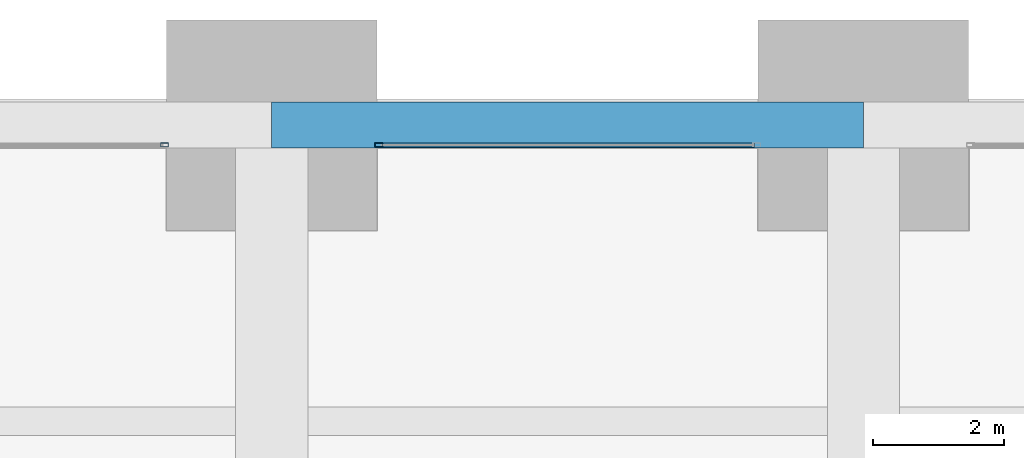
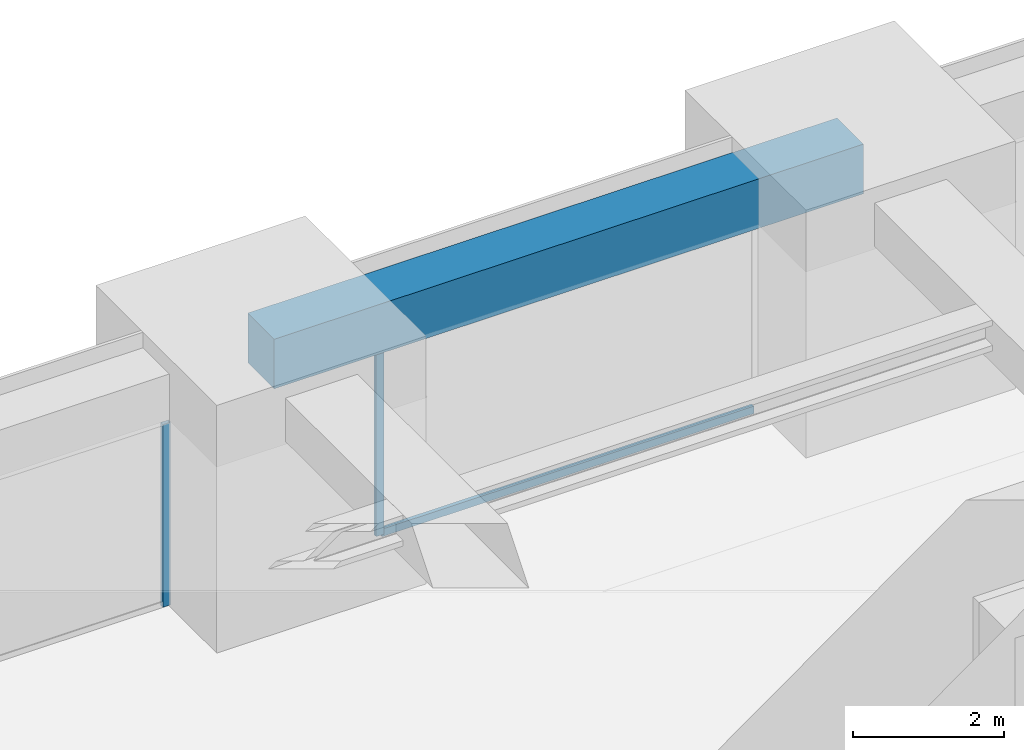
# One storey, part 32 of 43: 3 members, 1 beam, 2 elements without a shape of their own.
"""IFC4 building model written with IfcOpenShell, lengths in metres."""

from ifc_helpers import new_model, si_unit, direction, frame, origin, origin_2d, place, context, subcontext, project, spatial, rectangle, hollow_rectangle, extrude, material, material_profile, profile_set, type_object, element, aggregate, save


model = new_model("IFC4")

# Units and contexts
model_context = context("Model", 3, precision=1e-05, world=origin(), true_north=direction((0.0, 1.0)))
body_context = subcontext(model_context, "Body", "Model", "MODEL_VIEW")
ifc_project = project(units=[si_unit("LENGTHUNIT", "METRE"), si_unit("AREAUNIT", "SQUARE_METRE"), si_unit("VOLUMEUNIT", "CUBIC_METRE"), si_unit("PLANEANGLEUNIT", "RADIAN"), si_unit("MASSUNIT", "GRAM", prefix="KILO")], contexts=[model_context])

# Site, building, storey
site_placement = place(None, origin())
site = spatial("IfcSite", under=ifc_project, at=site_placement, CompositionType="ELEMENT")
building_placement = place(site_placement, origin())
building = spatial("IfcBuilding", under=site, at=building_placement, Name="Zorevar Civic Tower", CompositionType="ELEMENT")
storey_placement = place(building_placement, frame((0.0, 0.0, 243.39990234375)))
storey = spatial("IfcBuildingStorey", under=building, at=storey_placement, Name="L59", CompositionType="ELEMENT", Elevation=243.39990234375)

# Curtain wall, member
ifc_material_1 = material(Name="Dark grey solar-control glass in black aluminium frame", Category="aluminium")
curtain_wall_type = type_object("IfcCurtainWallType", Name="Curtain wall CW5 top zone", PredefinedType="NOTDEFINED", material=ifc_material_1)
curtain_wall_1_placement = place(storey_placement, origin())
curtain_wall_1 = element("IfcCurtainWall", 1, at=curtain_wall_1_placement, inside=storey, type_object=curtain_wall_type, Name="CW5 L59", PredefinedType="NOTDEFINED")
ifc_material_2 = material(Name="Aluminium, black anodised", Category="aluminium")
ifc_material_profile_1 = material_profile(ifc_material_2, hollow_rectangle(XDim=0.06005859375, YDim=0.1201171875, WallThickness=0.0029296875, at=origin_2d()), Name="AL 120x60x3")
ifc_profile_set_1 = profile_set([ifc_material_profile_1], Name="Aluminium, black anodised")
member_type_1 = type_object("IfcMemberType", Name="CW5 mullion AL 120x60x3", PredefinedType="MULLION", material=ifc_profile_set_1)
member_1_placement = place(storey_placement, frame((25.3701171875, 44.699951171875, 0.0), z_axis=(0.0, 0.0, 1.0), x_axis=(0.0, 1.0, 0.0)))
member_1 = element("IfcMember", 2, at=member_1_placement, type_object=member_type_1, Name="CW5 mullion 2", PredefinedType="MULLION", context=body_context, shape_type="SweptSolid", body=[
    extrude(hollow_rectangle(XDim=0.06005859375, YDim=0.1201171875, WallThickness=0.0029296875, at=origin_2d()), origin(), (0.0, 0.0, 1.0), 2.9501953125),
])
aggregate(curtain_wall_1, [member_1])

# Curtain wall, members
curtain_wall_2_placement = place(storey_placement, origin())
curtain_wall_2 = element("IfcCurtainWall", 3, at=curtain_wall_2_placement, inside=storey, type_object=curtain_wall_type, Name="CW5 L59", PredefinedType="NOTDEFINED")
member_2_placement = place(storey_placement, frame((28.6298828125, 44.699951171875, 0.0), z_axis=(0.0, 0.0, 1.0), x_axis=(0.0, 1.0, 0.0)))
member_2 = element("IfcMember", 4, at=member_2_placement, type_object=member_type_1, Name="CW5 mullion 1", PredefinedType="MULLION", context=body_context, shape_type="SweptSolid", body=[
    extrude(hollow_rectangle(XDim=0.06005859375, YDim=0.1201171875, WallThickness=0.0029296875, at=origin_2d()), origin(), (0.0, 0.0, 1.0), 2.9501953125),
])
ifc_material_3 = material(Name="Aluminium, black anodised", Category="aluminium")
ifc_material_profile_2 = material_profile(ifc_material_3, hollow_rectangle(XDim=0.06005859375, YDim=0.1201171875, WallThickness=0.0029296875, at=origin_2d()), Name="AL 120x60x3")
ifc_profile_set_2 = profile_set([ifc_material_profile_2], Name="Aluminium, black anodised")
member_type_2 = type_object("IfcMemberType", Name="CW5 transom AL 120x60x3", PredefinedType="USERDEFINED", material=ifc_profile_set_2)
member_3_placement = place(storey_placement, frame((28.659912109375, 44.699951171875, 0.030029296875), z_axis=(1.0, 0.0, 0.0), x_axis=(0.0, 1.0, 0.0)))
member_3 = element("IfcMember", 5, at=member_3_placement, type_object=member_type_2, Name="CW5 sill transom", ObjectType="TRANSOM", PredefinedType="USERDEFINED", context=body_context, shape_type="SweptSolid", body=[
    extrude(hollow_rectangle(XDim=0.06005859375, YDim=0.1201171875, WallThickness=0.0029296875, at=origin_2d()), origin(), (0.0, 0.0, 1.0), 5.68017578125),
])
aggregate(curtain_wall_2, [member_2, member_3])

# Beam
ifc_material_4 = material(Name="Concrete C50/60", Category="concrete")
ifc_material_profile_3 = material_profile(ifc_material_4, rectangle(XDim=0.699951171875, YDim=0.800048828125, at=origin_2d()), Name="RC 700x800")
ifc_profile_set_3 = profile_set([ifc_material_profile_3], Name="Concrete C50/60")
beam_type = type_object("IfcBeamType", Name="Edge beam RC 700x800", PredefinedType="SPANDREL", material=ifc_profile_set_3)
beam_placement = place(storey_placement, frame((27.0, 45.0, 3.35009765625), z_axis=(1.0, 0.0, 0.0), x_axis=(0.0, 1.0, 0.0)))
element("IfcBeam", 6, at=beam_placement, inside=storey, type_object=beam_type, Name="Edge beam L60", PredefinedType="SPANDREL", context=body_context, shape_type="SweptSolid", body=[
    extrude(rectangle(XDim=0.699951171875, YDim=0.800048828125, at=origin_2d()), origin(), (0.0, 0.0, 1.0), 9.0),
])

save(model, "model.ifc")
